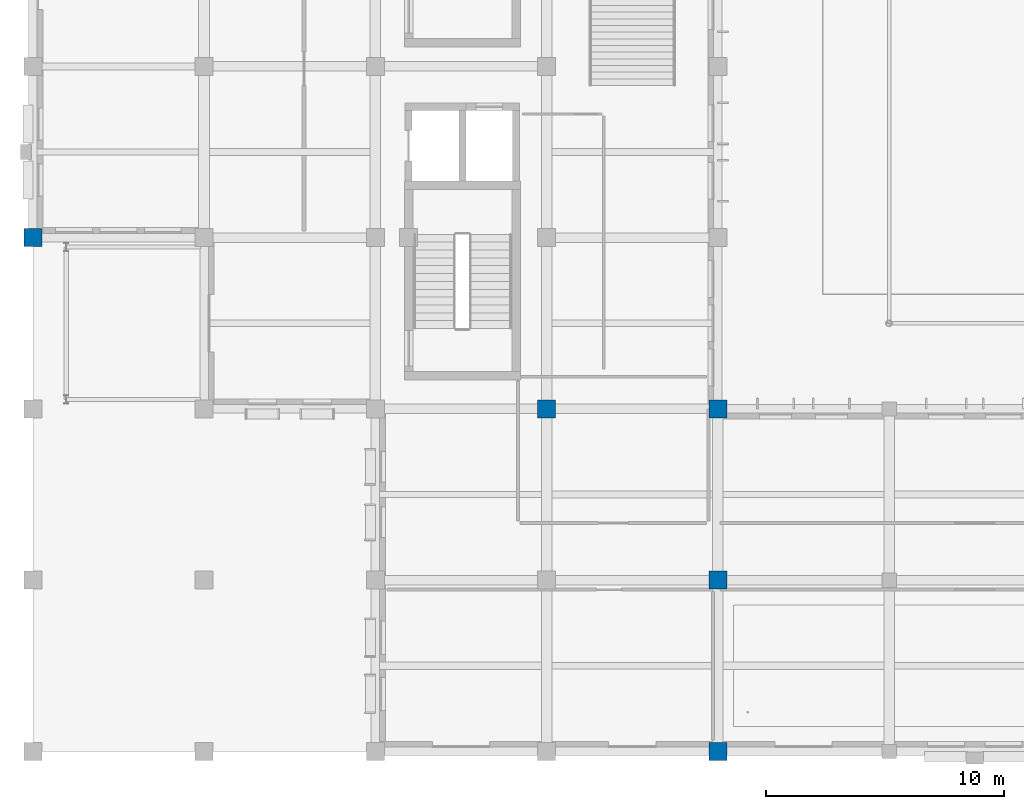
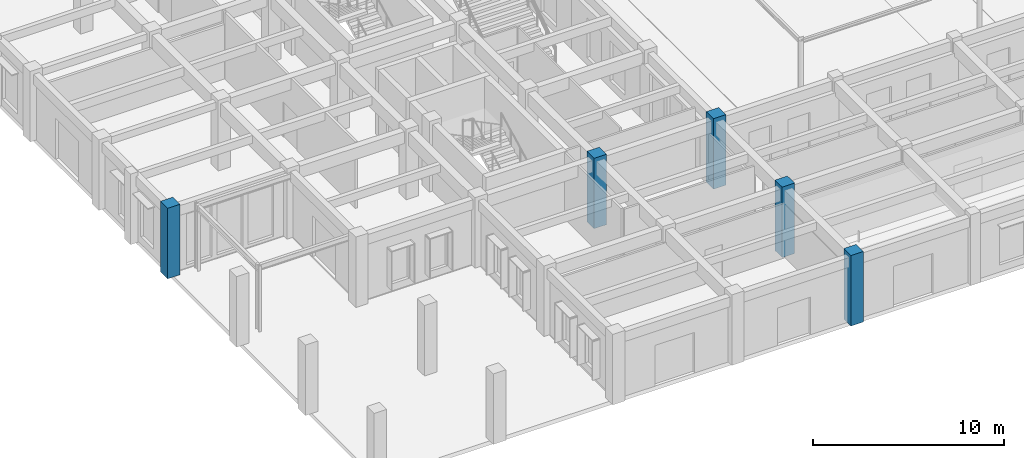
# One storey, part 2 of 43: 5 columns.
"""IFC4 building model written with IfcOpenShell, lengths in metres."""

from ifc_helpers import new_model, si_unit, direction, frame, origin, origin_2d, place, context, subcontext, project, spatial, rectangle, extrude, material, material_profile, profile_set, type_object, element, save


model = new_model("IFC4")

# Units and contexts
model_context = context("Model", 3, precision=1e-05, world=origin(), true_north=direction((0.0, 1.0)))
body_context = subcontext(model_context, "Body", "Model", "MODEL_VIEW")
ifc_project = project(units=[si_unit("LENGTHUNIT", "METRE"), si_unit("AREAUNIT", "SQUARE_METRE"), si_unit("VOLUMEUNIT", "CUBIC_METRE"), si_unit("PLANEANGLEUNIT", "RADIAN"), si_unit("MASSUNIT", "GRAM", prefix="KILO")], contexts=[model_context])

# Site, building, storey
site_placement = place(None, origin())
site = spatial("IfcSite", under=ifc_project, at=site_placement, CompositionType="ELEMENT")
building_placement = place(site_placement, origin())
building = spatial("IfcBuilding", under=site, at=building_placement, Name="Alvorim Cloister Faculty of Sciences", CompositionType="ELEMENT")
storey_placement = place(building_placement, origin())
storey = spatial("IfcBuildingStorey", under=building, at=storey_placement, Name="L00", CompositionType="ELEMENT", Elevation=0.0)

# Columns
ifc_material = material(Name="Concrete C40", Category="concrete")
ifc_material_profile = material_profile(ifc_material, rectangle(XDim=0.75, YDim=0.75, at=origin_2d()), Name="RC40-COL-750x750")
ifc_profile_set = profile_set([ifc_material_profile], Name="Concrete C40")
column_type = type_object("IfcColumnType", Name="COL-RC-750", PredefinedType="COLUMN", material=ifc_profile_set)
for number, where, z_axis, x_axis, name in (
    (1, (0.0, 21.60009765625, 0.0), (0.0, 0.0, 1.0), (1.0, 0.0, 0.0), "L00 Column COL-0203"),
    (2, (21.60009765625, 14.39990234375, 0.0), (0.0, 0.0, 1.0), (1.0, 0.0, 0.0), "L00 Column COL-0256"),
    (3, (28.800048828125, 0.0, 0.0), (0.0, 0.0, 1.0), (1.0, 0.0, 0.0), "L00 Column COL-0271"),
    (4, (28.800048828125, 7.199951171875, 0.0), (0.0, 0.0, 1.0), (1.0, 0.0, 0.0), "L00 Column COL-0272"),
    (5, (28.800048828125, 14.39990234375, 0.0), (0.0, 0.0, 1.0), (1.0, 0.0, 0.0), "L00 Column COL-0273"),
):
    element("IfcColumn", number, at=place(storey_placement, frame(where, z_axis=z_axis, x_axis=x_axis)), inside=storey, type_object=column_type, Name=name, PredefinedType="COLUMN", context=body_context, shape_type="SweptSolid", body=[
        extrude(rectangle(XDim=0.75, YDim=0.75, at=origin_2d()), origin(), (0.0, 0.0, 1.0), 4.5),
    ])

save(model, "model.ifc")
